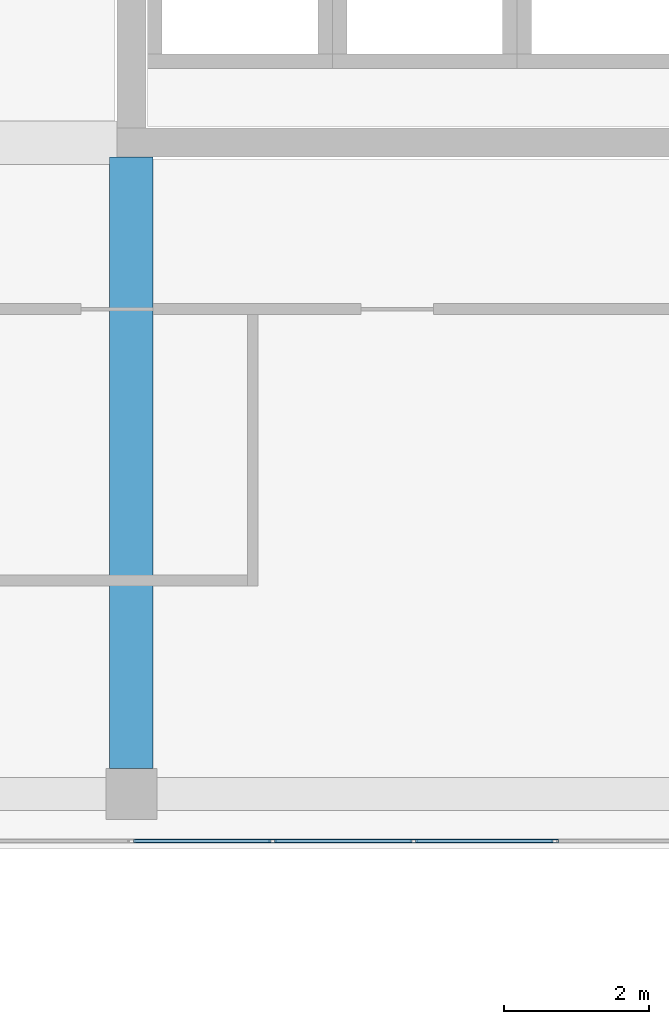
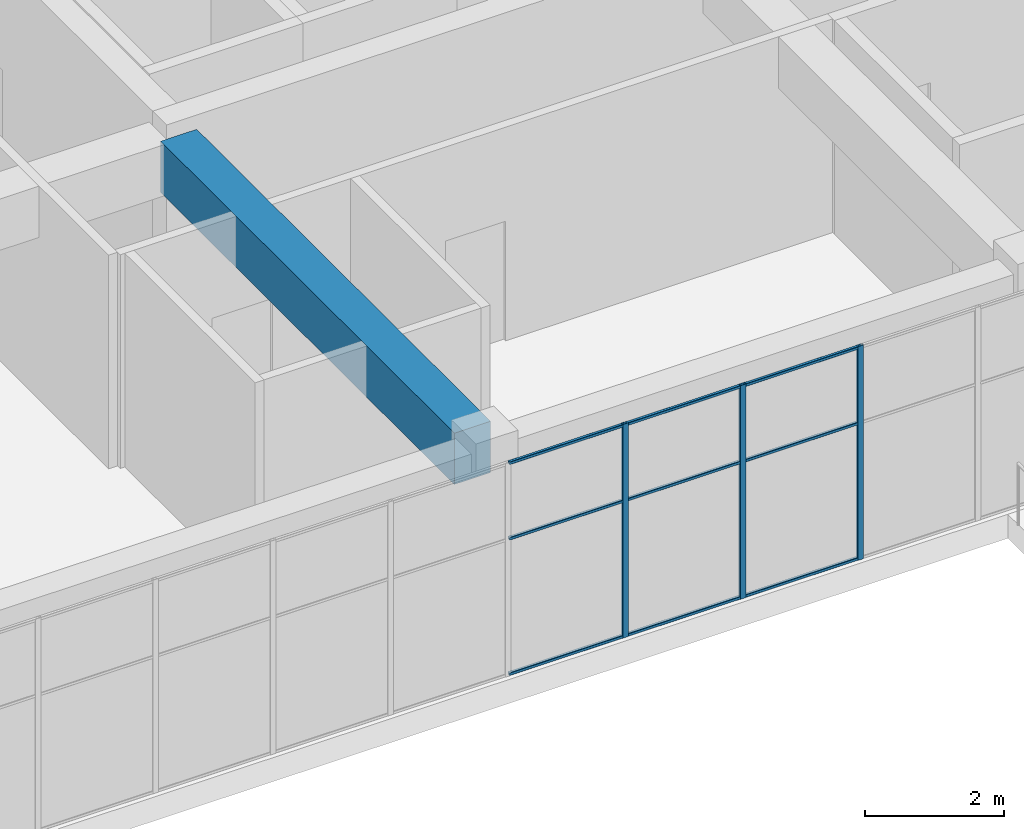
# One storey, part 15 of 49: 12 members, 1 beam, 1 element without a shape of its own.
"""IFC4 building model written with IfcOpenShell, lengths in metres."""

from ifc_helpers import new_model, si_unit, direction, frame, origin, origin_2d, place, context, subcontext, project, spatial, rectangle, hollow_rectangle, extrude, material, layer, layer_set, material_profile, profile_set, type_object, element, aggregate, save


model = new_model("IFC4")

# Units and contexts
model_context = context("Model", 3, precision=1e-05, world=origin(), true_north=direction((0.0, 1.0)))
body_context = subcontext(model_context, "Body", "Model", "MODEL_VIEW")
ifc_project = project(units=[si_unit("LENGTHUNIT", "METRE"), si_unit("AREAUNIT", "SQUARE_METRE"), si_unit("VOLUMEUNIT", "CUBIC_METRE"), si_unit("PLANEANGLEUNIT", "RADIAN"), si_unit("MASSUNIT", "GRAM", prefix="KILO")], contexts=[model_context])

# Site, building, storey
site_placement = place(None, origin())
site = spatial("IfcSite", under=ifc_project, at=site_placement, CompositionType="ELEMENT")
building_placement = place(site_placement, origin())
building = spatial("IfcBuilding", under=site, at=building_placement, Name="Tuart Plaza Theatre", CompositionType="ELEMENT")
storey_placement = place(building_placement, frame((0.0, 0.0, 29.5)))
storey = spatial("IfcBuildingStorey", under=building, at=storey_placement, Name="L07", CompositionType="ELEMENT", Elevation=29.5)

# Beam
ifc_material_1 = material(Name="Concrete N40 (40 MPa)", Category="concrete")
ifc_material_profile_1 = material_profile(ifc_material_1, rectangle(XDim=0.60009765625, YDim=0.89990234375, at=origin_2d()), Name="BEAM 600x900 Concrete N40 (40 MPa)")
ifc_profile_set_1 = profile_set([ifc_material_profile_1], Name="Concrete N40 (40 MPa)")
beam_type = type_object("IfcBeamType", Name="BEAM 600x900 Concrete N40 (40 MPa)", PredefinedType="BEAM", material=ifc_profile_set_1)
beam_placement = place(storey_placement, frame((123.0, 56.35009765625, 3.300048828125), z_axis=(0.0, 1.0, 0.0), x_axis=(-1.0, 0.0, 0.0)))
element("IfcBeam", 1, at=beam_placement, inside=storey, type_object=beam_type, Name="RB264", PredefinedType="BEAM", context=body_context, shape_type="SweptSolid", body=[
    extrude(rectangle(XDim=0.60009765625, YDim=0.89990234375, at=origin_2d()), origin(), (0.0, 0.0, 1.0), 8.449951171875),
])

# Curtain wall, members
ifc_material_2 = material(Name="Aluminium and glass", Category="aluminium")
ifc_layer = layer(ifc_material_2, 0.10009765625)
ifc_layer_set = layer_set([ifc_layer], Name="CURTAIN WALL 2000 module")
curtain_wall_type = type_object("IfcCurtainWallType", Name="CURTAIN WALL 2000 module", PredefinedType="NOTDEFINED", material=ifc_layer_set)
curtain_wall_placement = place(storey_placement, origin())
curtain_wall = element("IfcCurtainWall", 2, at=curtain_wall_placement, inside=storey, type_object=curtain_wall_type, Name="CW88", PredefinedType="NOTDEFINED")
ifc_material_3 = material(Name="Aluminium 6063-T5", Category="aluminium")
ifc_material_profile_2 = material_profile(ifc_material_3, hollow_rectangle(XDim=0.050048828125, YDim=0.10009765625, WallThickness=0.00390625, InnerFilletRadius=0.00390625, OuterFilletRadius=0.008056640625, at=origin_2d()), Name="RHS 100x50x4")
ifc_profile_set_2 = profile_set([ifc_material_profile_2], Name="Aluminium 6063-T5")
member_type_1 = type_object("IfcMemberType", Name="MULLION RHS 100x50x4", PredefinedType="MULLION", material=ifc_profile_set_2)
member_1_placement = place(storey_placement, frame((124.949951171875, 55.35009765625, 0.0), z_axis=(0.0, 0.0, 1.0), x_axis=(0.0, 1.0, 0.0)))
member_1 = element("IfcMember", 3, at=member_1_placement, type_object=member_type_1, Name="CW88 mullion 7", PredefinedType="MULLION", context=body_context, shape_type="SweptSolid", body=[
    extrude(hollow_rectangle(XDim=0.050048828125, YDim=0.10009765625, WallThickness=0.00390625, InnerFilletRadius=0.00390625, OuterFilletRadius=0.008056640625, at=origin_2d()), origin(), (0.0, 0.0, 1.0), 3.75),
])
member_2_placement = place(storey_placement, frame((126.89990234375, 55.35009765625, 0.0), z_axis=(0.0, 0.0, 1.0), x_axis=(0.0, 1.0, 0.0)))
member_2 = element("IfcMember", 4, at=member_2_placement, type_object=member_type_1, Name="CW88 mullion 8", PredefinedType="MULLION", context=body_context, shape_type="SweptSolid", body=[
    extrude(hollow_rectangle(XDim=0.050048828125, YDim=0.10009765625, WallThickness=0.00390625, InnerFilletRadius=0.00390625, OuterFilletRadius=0.008056640625, at=origin_2d()), origin(), (0.0, 0.0, 1.0), 3.75),
])
member_3_placement = place(storey_placement, frame((128.85009765625, 55.35009765625, 0.0), z_axis=(0.0, 0.0, 1.0), x_axis=(0.0, 1.0, 0.0)))
member_3 = element("IfcMember", 5, at=member_3_placement, type_object=member_type_1, Name="CW88 mullion 9", PredefinedType="MULLION", context=body_context, shape_type="SweptSolid", body=[
    extrude(hollow_rectangle(XDim=0.050048828125, YDim=0.10009765625, WallThickness=0.00390625, InnerFilletRadius=0.00390625, OuterFilletRadius=0.008056640625, at=origin_2d()), origin(), (0.0, 0.0, 1.0), 3.75),
])
ifc_material_4 = material(Name="Aluminium 6063-T5", Category="aluminium")
ifc_material_profile_3 = material_profile(ifc_material_4, hollow_rectangle(XDim=0.050048828125, YDim=0.050048828125, WallThickness=0.00390625, InnerFilletRadius=0.00390625, OuterFilletRadius=0.008056640625, at=origin_2d()), Name="RHS 50x50x4")
ifc_profile_set_3 = profile_set([ifc_material_profile_3], Name="Aluminium 6063-T5")
member_type_2 = type_object("IfcMemberType", Name="TRANSOM RHS 50x50x4", PredefinedType="USERDEFINED", material=ifc_profile_set_3)
member_4_placement = place(storey_placement, frame((123.02490234375, 55.35009765625, 0.02490234375), z_axis=(1.0, 0.0, 0.0), x_axis=(0.0, 1.0, 0.0)))
member_4 = element("IfcMember", 6, at=member_4_placement, type_object=member_type_2, Name="CW88 transom 6.1", ObjectType="TRANSOM", PredefinedType="USERDEFINED", context=body_context, shape_type="SweptSolid", body=[
    extrude(hollow_rectangle(XDim=0.050048828125, YDim=0.050048828125, WallThickness=0.00390625, InnerFilletRadius=0.00390625, OuterFilletRadius=0.008056640625, at=origin_2d()), origin(), (0.0, 0.0, 1.0), 1.900146484375),
])
member_5_placement = place(storey_placement, frame((123.02490234375, 55.35009765625, 2.39990234375), z_axis=(1.0, 0.0, 0.0), x_axis=(0.0, 1.0, 0.0)))
member_5 = element("IfcMember", 7, at=member_5_placement, type_object=member_type_2, Name="CW88 transom 6.2", ObjectType="TRANSOM", PredefinedType="USERDEFINED", context=body_context, shape_type="SweptSolid", body=[
    extrude(hollow_rectangle(XDim=0.050048828125, YDim=0.050048828125, WallThickness=0.00390625, InnerFilletRadius=0.00390625, OuterFilletRadius=0.008056640625, at=origin_2d()), origin(), (0.0, 0.0, 1.0), 1.900146484375),
])
member_6_placement = place(storey_placement, frame((123.02490234375, 55.35009765625, 3.72509765625), z_axis=(1.0, 0.0, 0.0), x_axis=(0.0, 1.0, 0.0)))
member_6 = element("IfcMember", 8, at=member_6_placement, type_object=member_type_2, Name="CW88 transom 6.3", ObjectType="TRANSOM", PredefinedType="USERDEFINED", context=body_context, shape_type="SweptSolid", body=[
    extrude(hollow_rectangle(XDim=0.050048828125, YDim=0.050048828125, WallThickness=0.00390625, InnerFilletRadius=0.00390625, OuterFilletRadius=0.008056640625, at=origin_2d()), origin(), (0.0, 0.0, 1.0), 1.900146484375),
])
member_7_placement = place(storey_placement, frame((124.97509765625, 55.35009765625, 0.02490234375), z_axis=(1.0, 0.0, 0.0), x_axis=(0.0, 1.0, 0.0)))
member_7 = element("IfcMember", 9, at=member_7_placement, type_object=member_type_2, Name="CW88 transom 7.1", ObjectType="TRANSOM", PredefinedType="USERDEFINED", context=body_context, shape_type="SweptSolid", body=[
    extrude(hollow_rectangle(XDim=0.050048828125, YDim=0.050048828125, WallThickness=0.00390625, InnerFilletRadius=0.00390625, OuterFilletRadius=0.008056640625, at=origin_2d()), origin(), (0.0, 0.0, 1.0), 1.89990234375),
])
member_8_placement = place(storey_placement, frame((124.97509765625, 55.35009765625, 2.39990234375), z_axis=(1.0, 0.0, 0.0), x_axis=(0.0, 1.0, 0.0)))
member_8 = element("IfcMember", 10, at=member_8_placement, type_object=member_type_2, Name="CW88 transom 7.2", ObjectType="TRANSOM", PredefinedType="USERDEFINED", context=body_context, shape_type="SweptSolid", body=[
    extrude(hollow_rectangle(XDim=0.050048828125, YDim=0.050048828125, WallThickness=0.00390625, InnerFilletRadius=0.00390625, OuterFilletRadius=0.008056640625, at=origin_2d()), origin(), (0.0, 0.0, 1.0), 1.89990234375),
])
member_9_placement = place(storey_placement, frame((124.97509765625, 55.35009765625, 3.72509765625), z_axis=(1.0, 0.0, 0.0), x_axis=(0.0, 1.0, 0.0)))
member_9 = element("IfcMember", 11, at=member_9_placement, type_object=member_type_2, Name="CW88 transom 7.3", ObjectType="TRANSOM", PredefinedType="USERDEFINED", context=body_context, shape_type="SweptSolid", body=[
    extrude(hollow_rectangle(XDim=0.050048828125, YDim=0.050048828125, WallThickness=0.00390625, InnerFilletRadius=0.00390625, OuterFilletRadius=0.008056640625, at=origin_2d()), origin(), (0.0, 0.0, 1.0), 1.89990234375),
])
member_10_placement = place(storey_placement, frame((126.925048828125, 55.35009765625, 0.02490234375), z_axis=(1.0, 0.0, 0.0), x_axis=(0.0, 1.0, 0.0)))
member_10 = element("IfcMember", 12, at=member_10_placement, type_object=member_type_2, Name="CW88 transom 8.1", ObjectType="TRANSOM", PredefinedType="USERDEFINED", context=body_context, shape_type="SweptSolid", body=[
    extrude(hollow_rectangle(XDim=0.050048828125, YDim=0.050048828125, WallThickness=0.00390625, InnerFilletRadius=0.00390625, OuterFilletRadius=0.008056640625, at=origin_2d()), origin(), (0.0, 0.0, 1.0), 1.89990234375),
])
member_11_placement = place(storey_placement, frame((126.925048828125, 55.35009765625, 2.39990234375), z_axis=(1.0, 0.0, 0.0), x_axis=(0.0, 1.0, 0.0)))
member_11 = element("IfcMember", 13, at=member_11_placement, type_object=member_type_2, Name="CW88 transom 8.2", ObjectType="TRANSOM", PredefinedType="USERDEFINED", context=body_context, shape_type="SweptSolid", body=[
    extrude(hollow_rectangle(XDim=0.050048828125, YDim=0.050048828125, WallThickness=0.00390625, InnerFilletRadius=0.00390625, OuterFilletRadius=0.008056640625, at=origin_2d()), origin(), (0.0, 0.0, 1.0), 1.89990234375),
])
member_12_placement = place(storey_placement, frame((126.925048828125, 55.35009765625, 3.72509765625), z_axis=(1.0, 0.0, 0.0), x_axis=(0.0, 1.0, 0.0)))
member_12 = element("IfcMember", 14, at=member_12_placement, type_object=member_type_2, Name="CW88 transom 8.3", ObjectType="TRANSOM", PredefinedType="USERDEFINED", context=body_context, shape_type="SweptSolid", body=[
    extrude(hollow_rectangle(XDim=0.050048828125, YDim=0.050048828125, WallThickness=0.00390625, InnerFilletRadius=0.00390625, OuterFilletRadius=0.008056640625, at=origin_2d()), origin(), (0.0, 0.0, 1.0), 1.89990234375),
])
aggregate(curtain_wall, [member_1, member_2, member_3, member_4, member_5, member_6, member_7, member_8, member_9, member_10, member_11, member_12])

save(model, "model.ifc")
